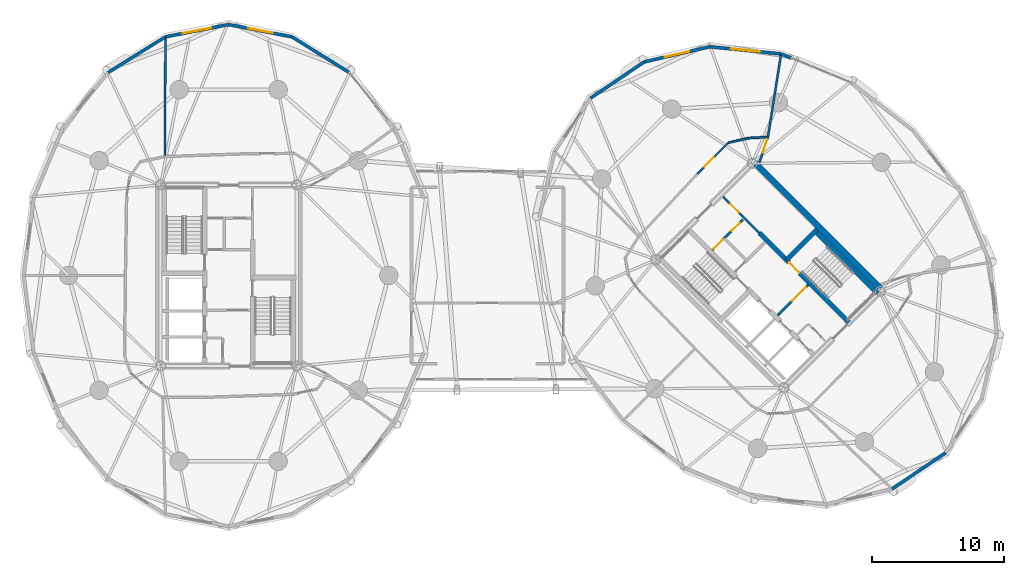
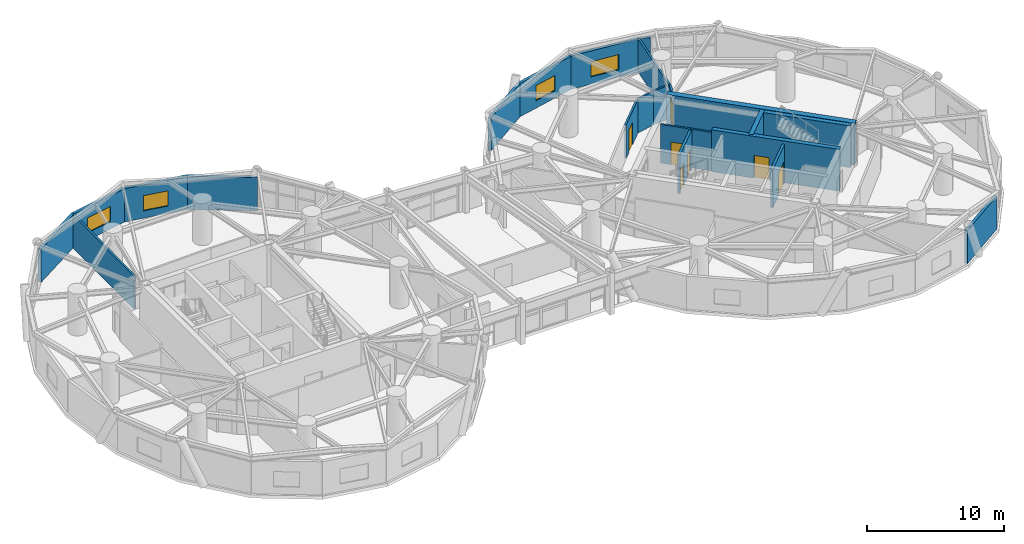
# One storey, part 16 of 19: 22 walls, 7 doors, 4 windows, 11 openings.
"""IFC4 building model written with IfcOpenShell, lengths in metres."""

import ifcopenshell
import ifcopenshell.guid

model = None  # the IFC model being written
_history = None  # IfcOwnerHistory: only IFC2X3 demands one
_inside = {}  # id of a spatial element -> (the spatial element, [elements in it])
_under = {}  # id of a project, library or spatial element -> (it, [spatial elements below it])
_declared = {}  # id of a project -> (the project, [libraries it declares])
_typed = {}  # id of a type object -> (the type object, [elements of that type])
_made_of = {}  # id of a material, layer set ... -> (it, [elements and type objects made of it])


def new_model(schema):
    """Start an empty IFC model of exactly this schema.

    Asked for "IFC4X3", IfcOpenShell would pick the latest addendum, in which some entities
    have other attributes; the version numbers below select the first issue.
    IFC2X3 requires an IfcOwnerHistory on every rooted entity: one is made here for all.
    """
    global model, _history
    if schema == "IFC4X3":
        model = ifcopenshell.file(schema_version=(4, 3, 0, 0))
    else:
        model = ifcopenshell.file(schema=schema)
    _inside.clear()
    _under.clear()
    _declared.clear()
    _typed.clear()
    _made_of.clear()
    _history = None
    if model.schema == "IFC2X3":
        org = make("IfcOrganization", Name="unknown")
        user = make(
            "IfcPersonAndOrganization",
            ThePerson=make("IfcPerson", FamilyName="unknown"),
            TheOrganization=org,
        )
        app = make(
            "IfcApplication",
            ApplicationDeveloper=org,
            Version="unknown",
            ApplicationFullName="unknown",
            ApplicationIdentifier="unknown",
        )
        _history = make(
            "IfcOwnerHistory",
            OwningUser=user,
            OwningApplication=app,
            ChangeAction="ADDED",
            CreationDate=0,
        )
    return model


def make(cls, **values):
    """One entity of the class cls with the attributes given. An attribute that is None is left unset."""
    return model.create_entity(
        cls, **{name: value for name, value in values.items() if value is not None}
    )


def rooted(cls, **values):
    """An entity with a GlobalId (a new one), such as an element, a storey or a relation."""
    return make(cls, GlobalId=ifcopenshell.guid.new(), OwnerHistory=_history, **values)


def si_unit(unit_type, name, prefix=None):
    """IfcSIUnit, for example si_unit("LENGTHUNIT", "METRE", prefix="MILLI")."""
    return make("IfcSIUnit", UnitType=unit_type, Prefix=prefix, Name=name)


def assignment(units):
    """IfcUnitAssignment: the units of a project."""
    return None if units is None else make("IfcUnitAssignment", Units=units)


def point(xyz):
    """IfcCartesianPoint."""
    return None if xyz is None else make("IfcCartesianPoint", Coordinates=xyz)


def direction(xyz):
    """IfcDirection."""
    return None if xyz is None else make("IfcDirection", DirectionRatios=xyz)


def frame(location, z_axis=None, x_axis=None):
    """IfcAxis2Placement3D, a coordinate frame: its origin and axes. An axis left out is left unset."""
    return make(
        "IfcAxis2Placement3D",
        Location=point(location),
        Axis=direction(z_axis),
        RefDirection=direction(x_axis),
    )


def frame_2d(location, x_axis=None):
    """IfcAxis2Placement2D, a coordinate frame in the plane: its origin and x axis."""
    return make(
        "IfcAxis2Placement2D", Location=point(location), RefDirection=direction(x_axis)
    )


def origin():
    """The frame at (0, 0, 0) with its axes left unset."""
    return frame((0.0, 0.0, 0.0))


def place(relative_to, where):
    """IfcLocalPlacement: puts the frame where relative to a parent placement (None: the world)."""
    return make(
        "IfcLocalPlacement", PlacementRelTo=relative_to, RelativePlacement=where
    )


def context(
    kind, dimensions, precision=None, world=None, true_north=None, identifier=None
):
    """IfcGeometricRepresentationContext, for example the 3D "Model" context."""
    return make(
        "IfcGeometricRepresentationContext",
        ContextIdentifier=identifier,
        ContextType=kind,
        CoordinateSpaceDimension=dimensions,
        Precision=precision,
        WorldCoordinateSystem=world,
        TrueNorth=true_north,
    )


def subcontext(parent, identifier, kind, view, scale=None):
    """IfcGeometricRepresentationSubContext, for example "Body" below "Model"."""
    return make(
        "IfcGeometricRepresentationSubContext",
        ContextIdentifier=identifier,
        ContextType=kind,
        ParentContext=parent,
        TargetScale=scale,
        TargetView=view,
    )


def project(units=None, contexts=None):
    """IfcProject with its units and contexts."""
    return rooted(
        "IfcProject",
        Name="project",
        RepresentationContexts=contexts,
        UnitsInContext=assignment(units),
    )


def spatial(cls, under=None, at=None, **own):
    """A site, building, storey or space (cls), placed at a placement, below another one or the project."""
    s = rooted(cls, ObjectPlacement=at, **own)
    if under is not None:
        _under.setdefault(under.id(), (under, []))[1].append(s)
    return s


def profile(cls, at=None, kind="AREA", **sizes):
    """A parametric profile (cls). Its sizes go by their IFC names, for example OverallWidth=200.0."""
    return make(cls, ProfileType=kind, Position=at, **sizes)


def rectangle(**sizes):
    """IfcRectangleProfileDef."""
    return profile("IfcRectangleProfileDef", **sizes)


def extrude(swept, where, along, depth):
    """IfcExtrudedAreaSolid: the profile swept, set in the frame where, extruded along a direction by depth."""
    return make(
        "IfcExtrudedAreaSolid",
        SweptArea=swept,
        Position=where,
        ExtrudedDirection=direction(along),
        Depth=depth,
    )


def shape(context_of_items, identifier, shape_type, items):
    """IfcShapeRepresentation: the items that make up one representation, for example the "Body"."""
    return make(
        "IfcShapeRepresentation",
        ContextOfItems=context_of_items,
        RepresentationIdentifier=identifier,
        RepresentationType=shape_type,
        Items=items,
    )


def source(mapping_origin, context_of_items, identifier, shape_type, items):
    """IfcRepresentationMap: a shape defined once, which mapped items show again and again."""
    return make(
        "IfcRepresentationMap",
        MappingOrigin=mapping_origin,
        MappedRepresentation=shape(context_of_items, identifier, shape_type, items),
    )


def transform(
    local_origin,
    x_axis=None,
    y_axis=None,
    z_axis=None,
    scale=None,
    scale2=None,
    scale3=None,
    uniform=True,
):
    """IfcCartesianTransformationOperator3D, or its non-uniform kind. x_axis, y_axis, z_axis: its Axis1, 2, 3."""
    if uniform:
        return make(
            "IfcCartesianTransformationOperator3D",
            Axis1=direction(x_axis),
            Axis2=direction(y_axis),
            LocalOrigin=point(local_origin),
            Scale=scale,
            Axis3=direction(z_axis),
        )
    return make(
        "IfcCartesianTransformationOperator3DnonUniform",
        Axis1=direction(x_axis),
        Axis2=direction(y_axis),
        LocalOrigin=point(local_origin),
        Scale=scale,
        Axis3=direction(z_axis),
        Scale2=scale2,
        Scale3=scale3,
    )


def mapped(mapping_source, mapping_target):
    """IfcMappedItem: shows the shape of a source again, moved by a transform."""
    return make(
        "IfcMappedItem", MappingSource=mapping_source, MappingTarget=mapping_target
    )


def material(Name=None, Category=None):
    """IfcMaterial."""
    return make("IfcMaterial", Name=Name, Category=Category)


def layer(
    of_material, thickness, ventilated=None, Name=None, Category=None, Priority=None
):
    """IfcMaterialLayer: one layer of a wall or slab, of a material (None: an air gap)."""
    return make(
        "IfcMaterialLayer",
        Material=of_material,
        LayerThickness=thickness,
        IsVentilated=ventilated,
        Name=Name,
        Category=Category,
        Priority=Priority,
    )


def layer_set(layers, Name=None):
    """IfcMaterialLayerSet."""
    return make("IfcMaterialLayerSet", MaterialLayers=layers, LayerSetName=Name)


def made_of(thing, what):
    """Note that an element or type object is made of a material, layer set ...; save() writes the relation."""
    if what is not None:
        _made_of.setdefault(what.id(), (what, []))[1].append(thing)
    return thing


def type_object(cls, material=None, **own):
    """A type object (cls), such as IfcWallType, which elements share."""
    return made_of(rooted(cls, **own), material)


def element(
    cls,
    number,
    at=None,
    inside=None,
    cuts=None,
    type_object=None,
    material=None,
    context=None,
    identifier="Body",
    shape_type=None,
    held_by="IfcProductDefinitionShape",
    body=None,
    shapes=None,
    **own,
):
    """One element of the class cls, such as IfcWall. Its Tag is "e" and its number.

    at: its placement. inside: the storey or other place that contains it. cuts: it is an
    opening in that element (IfcRelVoidsElement). A single representation is given by context,
    identifier, shape_type and body (its items); several are given by shapes. held_by: the class
    of the entity that holds the representations. save() writes the other relations.
    """
    e = rooted(cls, Tag="e%d" % number, ObjectPlacement=at, **own)
    if body is not None:
        shapes = [shape(context, identifier, shape_type, body)]
    if shapes is not None:
        e.Representation = make(held_by, Representations=shapes)
    if inside is not None:
        _inside.setdefault(inside.id(), (inside, []))[1].append(e)
    if cuts is not None:
        rooted(
            "IfcRelVoidsElement", RelatingBuildingElement=cuts, RelatedOpeningElement=e
        )
    if type_object is not None:
        _typed.setdefault(type_object.id(), (type_object, []))[1].append(e)
    return made_of(e, material)


def fill(opening, filler):
    """IfcRelFillsElement: the door or window that sits in an opening."""
    return rooted(
        "IfcRelFillsElement",
        RelatingOpeningElement=opening,
        RelatedBuildingElement=filler,
    )


def aggregate(whole, parts):
    """IfcRelAggregates: a whole, such as a stair, and the parts it consists of."""
    return rooted("IfcRelAggregates", RelatingObject=whole, RelatedObjects=parts)


def save(model, path):
    """Write the relations noted so far, then the file.

    IfcRelAggregates (storeys below a building ...), IfcRelContainedInSpatialStructure (elements
    in a storey), IfcRelDefinesByType, IfcRelAssociatesMaterial and IfcRelDeclares: one each for
    every whole, place, type object, material and project.
    """
    for whole, parts in _under.values():
        aggregate(whole, parts)
    for where, things in _inside.values():
        rooted(
            "IfcRelContainedInSpatialStructure",
            RelatedElements=things,
            RelatingStructure=where,
        )
    for kind, things in _typed.values():
        rooted("IfcRelDefinesByType", RelatedObjects=things, RelatingType=kind)
    for what, things in _made_of.values():
        rooted("IfcRelAssociatesMaterial", RelatedObjects=things, RelatingMaterial=what)
    for by, libraries in _declared.values():
        rooted("IfcRelDeclares", RelatingContext=by, RelatedDefinitions=libraries)
    model.write(path)


model = new_model("IFC4")

# Units and contexts
model_context = context("Model", 3, precision=1e-05, world=origin(), true_north=direction((0.0, 1.0)))
body_context = subcontext(model_context, "Body", "Model", "MODEL_VIEW")
ifc_project = project(units=[si_unit("LENGTHUNIT", "METRE"), si_unit("AREAUNIT", "SQUARE_METRE"), si_unit("VOLUMEUNIT", "CUBIC_METRE"), si_unit("PLANEANGLEUNIT", "RADIAN"), si_unit("MASSUNIT", "GRAM", prefix="KILO")], contexts=[model_context])

# Site, building, storey
site_placement = place(None, origin())
site = spatial("IfcSite", under=ifc_project, at=site_placement, CompositionType="ELEMENT")
building_placement = place(site_placement, origin())
building = spatial("IfcBuilding", under=site, at=building_placement, Name="Cununo Teusaquillo Station Towers", CompositionType="ELEMENT")
storey_placement = place(building_placement, frame((0.0, 0.0, 136.60009765625)))
storey = spatial("IfcBuildingStorey", under=building, at=storey_placement, Name="L43", CompositionType="ELEMENT", Elevation=136.60009765625)

# Wall, opening, door
ifc_material_1 = material(Name="Concrete C50/60", Category="concrete")
ifc_layer_1 = layer(ifc_material_1, 0.35009765625)
ifc_layer_set_1 = layer_set([ifc_layer_1], Name="Concrete C50/60")
wall_type_1 = type_object("IfcWallType", Name="WL-CORE-350", PredefinedType="SHEAR", material=ifc_layer_set_1)
wall_1_placement = place(storey_placement, frame((63.644775390625, 20.922119140625, 0.0), z_axis=(0.0, 0.0, 1.0), x_axis=(-0.70711946392, 0.707094098226, 0.0)))
wall_1 = element("IfcWall", 1, at=wall_1_placement, inside=storey, type_object=wall_type_1, Name="L43 Tower B Core Shear Wall IE", PredefinedType="SHEAR", context=body_context, shape_type="SweptSolid", body=[
    extrude(rectangle(XDim=9.624755859375, YDim=0.35009765625, at=frame_2d((4.8125, 0.0))), origin(), (0.0, 0.0, 1.0), 3.719970703125),
])
shared_shape_1 = source(origin(), body_context, "Body", "SweptSolid", [
    extrude(rectangle(XDim=1.14990234375, YDim=2.02001953125, at=frame_2d((0.574951171875, 1.010009765625))), frame((0.0, 0.18505859375, 0.0), z_axis=(0.0, -1.0, 0.0), x_axis=(1.0, 0.0, 0.0)), (0.0, 0.0, 1.0), 0.3701171875),
])
opening_1_placement = place(wall_1_placement, frame((5.304931640625, 0.0, 0.0)))
opening_1 = element("IfcOpeningElement", 2, at=opening_1_placement, cuts=wall_1, Name="Opening D-ST1", PredefinedType="OPENING", context=body_context, shape_type="MappedRepresentation", body=[
    mapped(shared_shape_1, transform((0.0, 0.0, 0.0), x_axis=(1.0, 0.0, 0.0), y_axis=(0.0, 1.0, 0.0), z_axis=(0.0, 0.0, 1.0), scale=1.0)),
])
ifc_material_2 = material(Name="Galvanised fire-rated hollow steel door assembly", Category="steel")
door_type_1 = type_object("IfcDoorType", Name="DR-STAIR-1150", OperationType="NOTDEFINED", PredefinedType="DOOR", material=ifc_material_2)
shared_shape_2 = source(origin(), body_context, "Body", "SweptSolid", [
    extrude(rectangle(XDim=1.14990234375, YDim=2.02001953125, at=frame_2d((0.574951171875, 1.010009765625))), frame((0.0, 0.02490234375, 0.0), z_axis=(0.0, -1.0, 0.0), x_axis=(1.0, 0.0, 0.0)), (0.0, 0.0, 1.0), 0.050048828125),
])
door_1_placement = place(opening_1_placement, origin())
door_1 = element("IfcDoor", 3, at=door_1_placement, inside=storey, type_object=door_type_1, Name="L43 Tower B Exit Stair 2 Fire Door", OperationType="SINGLE_SWING_RIGHT", OverallHeight=2.02001953125, OverallWidth=1.14990234375, PredefinedType="DOOR", context=body_context, shape_type="MappedRepresentation", body=[
    mapped(shared_shape_2, transform((0.0, 0.0, 0.0), x_axis=(1.0, 0.0, 0.0), y_axis=(0.0, 1.0, 0.0), z_axis=(0.0, 0.0, 1.0), scale=1.0)),
])
fill(opening_1, door_1)

# Walls
wall_2_placement = place(storey_placement, frame((65.82958984375, 23.10693359375, 0.0), z_axis=(0.0, 0.0, 1.0), x_axis=(-0.707088616009, 0.707124945897, 0.0)))
element("IfcWall", 4, at=wall_2_placement, inside=storey, type_object=wall_type_1, Name="L43 Tower B Core Shear Wall ST2E", PredefinedType="SHEAR", context=body_context, shape_type="SweptSolid", body=[
    extrude(rectangle(XDim=6.72021484375, YDim=0.35009765625, at=frame_2d((3.360107421875, 0.0))), origin(), (0.0, 0.0, 1.0), 3.719970703125),
])
wall_3_placement = place(storey_placement, frame((58.89306640625, 25.673828125, 0.0), z_axis=(0.0, 0.0, 1.0), x_axis=(0.707106781187, 0.707106781187, 0.0)))
element("IfcWall", 5, at=wall_3_placement, inside=storey, type_object=wall_type_1, Name="L43 Tower B Core Shear Wall ST2N", PredefinedType="SHEAR", context=body_context, shape_type="SweptSolid", body=[
    extrude(rectangle(XDim=3.284912109375, YDim=0.35009765625, at=frame_2d((1.642578125, 0.0))), origin(), (0.0, 0.0, 1.0), 3.719970703125),
])
ifc_material_3 = material(Name="Concrete C60/75", Category="concrete")
ifc_layer_2 = layer(ifc_material_3, 0.449951171875)
ifc_layer_set_2 = layer_set([ifc_layer_2], Name="Concrete C60/75")
wall_type_2 = type_object("IfcWallType", Name="WL-CORE-450", PredefinedType="SHEAR", material=ifc_layer_set_2)
wall_4_placement = place(storey_placement, frame((66.303466796875, 23.2626953125, 0.0), z_axis=(0.0, 0.0, 1.0), x_axis=(-0.707106781187, 0.707106781187, 0.0)))
element("IfcWall", 6, at=wall_4_placement, inside=storey, type_object=wall_type_2, Name="L43 Tower B Core Shear Wall E", PredefinedType="SHEAR", context=body_context, shape_type="SweptSolid", body=[
    extrude(rectangle(XDim=14.19970703125, YDim=0.449951171875, at=frame_2d((7.099853515625, 0.0))), origin(), (0.0, 0.0, 1.0), 3.719970703125),
])
ifc_material_4 = material(Name="Precast concrete C40/50", Category="concrete")
ifc_layer_3 = layer(ifc_material_4, 0.239990234375)
ifc_layer_set_3 = layer_set([ifc_layer_3], Name="Precast concrete C40/50")
wall_type_3 = type_object("IfcWallType", Name="WL-EXT-240", PredefinedType="SOLIDWALL", material=ifc_layer_set_3)
wall_5_placement = place(storey_placement, frame((21.314697265625, 42.63671875, 0.0), z_axis=(0.0, 0.0, 1.0), x_axis=(0.848520380187, -0.529162701263, 0.0)))
element("IfcWall", 7, at=wall_5_placement, inside=storey, type_object=wall_type_3, Name="L43 Tower A Exterior Facade Wall C03", PredefinedType="SOLIDWALL", context=body_context, shape_type="SweptSolid", body=[
    extrude(rectangle(XDim=5.118896484375, YDim=0.239990234375, at=frame_2d((2.5595703125, 0.0))), origin(), (0.0, 0.0, 1.0), 2.948974609375),
])

# Wall, opening, window
wall_6_placement = place(storey_placement, frame((16.5, 43.570068359375, 0.0), z_axis=(0.0, 0.0, 1.0), x_axis=(0.981723785992, -0.190311344954, 0.0)))
wall_6 = element("IfcWall", 8, at=wall_6_placement, inside=storey, type_object=wall_type_3, Name="L43 Tower A Exterior Facade Wall C04", PredefinedType="SOLIDWALL", context=body_context, shape_type="SweptSolid", body=[
    extrude(rectangle(XDim=4.904296875, YDim=0.239990234375, at=frame_2d((2.4521484375, 0.0))), origin(), (0.0, 0.0, 1.0), 2.948974609375),
])
shared_shape_3 = source(origin(), body_context, "Body", "SweptSolid", [
    extrude(rectangle(XDim=1.89990234375, YDim=1.35009765625, at=frame_2d((0.949951171875, 0.675048828125))), frame((0.0, 0.1298828125, 0.0), z_axis=(0.0, -1.0, 0.0), x_axis=(1.0, 0.0, 0.0)), (0.0, 0.0, 1.0), 0.260009765625),
])
opening_2_placement = place(wall_6_placement, frame((1.501953125, 0.0, 0.64990234375)))
opening_2 = element("IfcOpeningElement", 9, at=opening_2_placement, cuts=wall_6, Name="Opening WN-02", PredefinedType="OPENING", context=body_context, shape_type="MappedRepresentation", body=[
    mapped(shared_shape_3, transform((0.0, 0.0, 0.0), x_axis=(1.0, 0.0, 0.0), y_axis=(0.0, 1.0, 0.0), z_axis=(0.0, 0.0, 1.0), scale=1.0)),
])
ifc_material_5 = material(Name="Operable acoustic tinted low-E double glazing", Category="glass")
window_type_1 = type_object("IfcWindowType", Name="WIN-OPER-1900", PartitioningType="DOUBLE_PANEL_VERTICAL", PredefinedType="WINDOW", material=ifc_material_5)
shared_shape_4 = source(origin(), body_context, "Body", "SweptSolid", [
    extrude(rectangle(XDim=1.89990234375, YDim=1.35009765625, at=frame_2d((0.949951171875, 0.675048828125))), frame((0.0, 0.030029296875, 0.0), z_axis=(0.0, -1.0, 0.0), x_axis=(1.0, 0.0, 0.0)), (0.0, 0.0, 1.0), 0.06005859375),
])
window_1_placement = place(opening_2_placement, origin())
window_1 = element("IfcWindow", 10, at=window_1_placement, inside=storey, type_object=window_type_1, Name="L43 Tower A Facade Window C04", OverallHeight=1.35009765625, OverallWidth=1.89990234375, PartitioningType="DOUBLE_PANEL_VERTICAL", PredefinedType="WINDOW", context=body_context, shape_type="MappedRepresentation", body=[
    mapped(shared_shape_4, transform((0.0, 0.0, 0.0), x_axis=(1.0, 0.0, 0.0), y_axis=(0.0, 1.0, 0.0), z_axis=(0.0, 0.0, 1.0), scale=1.0)),
])
fill(opening_2, window_1)

wall_7_placement = place(storey_placement, frame((11.685302734375, 42.63671875, 0.0), z_axis=(0.0, 0.0, 1.0), x_axis=(0.981723785992, 0.190311344954, 0.0)))
wall_7 = element("IfcWall", 11, at=wall_7_placement, inside=storey, type_object=wall_type_3, Name="L43 Tower A Exterior Facade Wall C05", PredefinedType="SOLIDWALL", context=body_context, shape_type="SweptSolid", body=[
    extrude(rectangle(XDim=4.904296875, YDim=0.239990234375, at=frame_2d((2.4521484375, 0.0))), origin(), (0.0, 0.0, 1.0), 2.948974609375),
])
shared_shape_5 = source(origin(), body_context, "Body", "SweptSolid", [
    extrude(rectangle(XDim=2.199951171875, YDim=1.35009765625, at=frame_2d((1.10009765625, 0.675048828125))), frame((0.0, 0.1298828125, 0.0), z_axis=(0.0, -1.0, 0.0), x_axis=(1.0, 0.0, 0.0)), (0.0, 0.0, 1.0), 0.260009765625),
])
opening_3_placement = place(wall_7_placement, frame((1.35205078125, 0.0, 0.64990234375)))
opening_3 = element("IfcOpeningElement", 12, at=opening_3_placement, cuts=wall_7, Name="Opening WN-01", PredefinedType="OPENING", context=body_context, shape_type="MappedRepresentation", body=[
    mapped(shared_shape_5, transform((0.0, 0.0, 0.0), x_axis=(1.0, 0.0, 0.0), y_axis=(0.0, 1.0, 0.0), z_axis=(0.0, 0.0, 1.0), scale=1.0)),
])
ifc_material_6 = material(Name="Ceramic-fritted dark low-E double glazing", Category="glass")
window_type_2 = type_object("IfcWindowType", Name="WIN-FRIT-2200", PartitioningType="DOUBLE_PANEL_VERTICAL", PredefinedType="WINDOW", material=ifc_material_6)
shared_shape_6 = source(origin(), body_context, "Body", "SweptSolid", [
    extrude(rectangle(XDim=2.199951171875, YDim=1.35009765625, at=frame_2d((1.10009765625, 0.675048828125))), frame((0.0, 0.030029296875, 0.0), z_axis=(0.0, -1.0, 0.0), x_axis=(1.0, 0.0, 0.0)), (0.0, 0.0, 1.0), 0.06005859375),
])
window_2_placement = place(opening_3_placement, origin())
window_2 = element("IfcWindow", 13, at=window_2_placement, inside=storey, type_object=window_type_2, Name="L43 Tower A Facade Window C05", OverallHeight=1.35009765625, OverallWidth=2.199951171875, PartitioningType="DOUBLE_PANEL_VERTICAL", PredefinedType="WINDOW", context=body_context, shape_type="MappedRepresentation", body=[
    mapped(shared_shape_6, transform((0.0, 0.0, 0.0), x_axis=(1.0, 0.0, 0.0), y_axis=(0.0, 1.0, 0.0), z_axis=(0.0, 0.0, 1.0), scale=1.0)),
])
fill(opening_3, window_2)

# Walls
wall_8_placement = place(storey_placement, frame((7.341796875, 39.927978515625, 0.0), z_axis=(0.0, 0.0, 1.0), x_axis=(0.848520380187, 0.529162701263, 0.0)))
element("IfcWall", 14, at=wall_8_placement, inside=storey, type_object=wall_type_3, Name="L43 Tower A Exterior Facade Wall C06", PredefinedType="SOLIDWALL", context=body_context, shape_type="SweptSolid", body=[
    extrude(rectangle(XDim=5.118896484375, YDim=0.239990234375, at=frame_2d((2.5595703125, 0.0))), origin(), (0.0, 0.0, 1.0), 2.948974609375),
])
wall_9_placement = place(storey_placement, frame((58.4873046875, 41.33935546875, 0.0), z_axis=(0.0, 0.0, 1.0), x_axis=(0.924556017656, -0.381046152345, 0.0)))
element("IfcWall", 15, at=wall_9_placement, inside=storey, type_object=wall_type_3, Name="L43 Tower B Column Pier Cladding Wall C01-PA", PredefinedType="SOLIDWALL", context=body_context, shape_type="SweptSolid", body=[
    extrude(rectangle(XDim=0.8701171875, YDim=0.239990234375, at=frame_2d((0.43505859375, 0.0))), origin(), (0.0, 0.0, 1.0), 2.948974609375),
])

# Wall, opening, window
wall_10_placement = place(storey_placement, frame((53.066650390625, 41.885009765625, 0.0), z_axis=(0.0, 0.0, 1.0), x_axis=(0.994971754311, -0.10015591906, 0.0)))
wall_10 = element("IfcWall", 16, at=wall_10_placement, inside=storey, type_object=wall_type_3, Name="L43 Tower B Exterior Facade Wall C02", PredefinedType="SOLIDWALL", context=body_context, shape_type="SweptSolid", body=[
    extrude(rectangle(XDim=5.447998046875, YDim=0.239990234375, at=frame_2d((2.72412109375, 0.0))), origin(), (0.0, 0.0, 1.0), 2.948974609375),
])
opening_4_placement = place(wall_10_placement, frame((1.6240234375, 0.0, 0.64990234375)))
opening_4 = element("IfcOpeningElement", 17, at=opening_4_placement, cuts=wall_10, Name="Opening WN-01", PredefinedType="OPENING", context=body_context, shape_type="MappedRepresentation", body=[
    mapped(shared_shape_5, transform((0.0, 0.0, 0.0), x_axis=(1.0, 0.0, 0.0), y_axis=(0.0, 1.0, 0.0), z_axis=(0.0, 0.0, 1.0), scale=1.0)),
])
window_3_placement = place(opening_4_placement, origin())
window_3 = element("IfcWindow", 18, at=window_3_placement, inside=storey, type_object=window_type_2, Name="L43 Tower B Facade Window C02", OverallHeight=1.35009765625, OverallWidth=2.199951171875, PartitioningType="DOUBLE_PANEL_VERTICAL", PredefinedType="WINDOW", context=body_context, shape_type="MappedRepresentation", body=[
    mapped(shared_shape_6, transform((0.0, 0.0, 0.0), x_axis=(1.0, 0.0, 0.0), y_axis=(0.0, 1.0, 0.0), z_axis=(0.0, 0.0, 1.0), scale=1.0)),
])
fill(opening_4, window_3)

wall_11_placement = place(storey_placement, frame((48.080078125, 40.72900390625, 0.0), z_axis=(0.0, 0.0, 1.0), x_axis=(0.974165631126, 0.225834725257, 0.0)))
wall_11 = element("IfcWall", 19, at=wall_11_placement, inside=storey, type_object=wall_type_3, Name="L43 Tower B Exterior Facade Wall C03", PredefinedType="SOLIDWALL", context=body_context, shape_type="SweptSolid", body=[
    extrude(rectangle(XDim=5.118896484375, YDim=0.239990234375, at=frame_2d((2.5595703125, 0.0))), origin(), (0.0, 0.0, 1.0), 2.948974609375),
])
opening_5_placement = place(wall_11_placement, frame((1.60888671875, 0.0, 0.64990234375)))
opening_5 = element("IfcOpeningElement", 20, at=opening_5_placement, cuts=wall_11, Name="Opening WN-02", PredefinedType="OPENING", context=body_context, shape_type="MappedRepresentation", body=[
    mapped(shared_shape_3, transform((0.0, 0.0, 0.0), x_axis=(1.0, 0.0, 0.0), y_axis=(0.0, 1.0, 0.0), z_axis=(0.0, 0.0, 1.0), scale=1.0)),
])
window_4_placement = place(opening_5_placement, origin())
window_4 = element("IfcWindow", 21, at=window_4_placement, inside=storey, type_object=window_type_1, Name="L43 Tower B Facade Window C03", OverallHeight=1.35009765625, OverallWidth=1.89990234375, PartitioningType="DOUBLE_PANEL_VERTICAL", PredefinedType="WINDOW", context=body_context, shape_type="MappedRepresentation", body=[
    mapped(shared_shape_4, transform((0.0, 0.0, 0.0), x_axis=(1.0, 0.0, 0.0), y_axis=(0.0, 1.0, 0.0), z_axis=(0.0, 0.0, 1.0), scale=1.0)),
])
fill(opening_5, window_4)

# Walls
for number, where, z_axis, x_axis, name in (
    (22, (44.015380859375, 37.984619140625, 0.0), (0.0, 0.0, 1.0), (0.828781148131, 0.559572880421, 0.0), "L43 Tower B Exterior Facade Wall C04"),
    (23, (70.984619140625, 11.015380859375, 0.0), (0.0, 0.0, 1.0), (-0.828781148131, -0.559572880421, 0.0), "L43 Tower B Exterior Facade Wall C14"),
):
    element("IfcWall", number, at=place(storey_placement, frame(where, z_axis=z_axis, x_axis=x_axis)), inside=storey, type_object=wall_type_3, Name=name, PredefinedType="SOLIDWALL", context=body_context, shape_type="SweptSolid", body=[
        extrude(rectangle(XDim=4.904541015625, YDim=0.239990234375, at=frame_2d((2.4521484375, 0.0))), origin(), (0.0, 0.0, 1.0), 2.948974609375),
    ])
ifc_material_7 = material(Name="Fire-rated gypsum plasterboard partition assembly", Category="gypsum")
ifc_layer_4 = layer(ifc_material_7, 0.14990234375)
ifc_layer_set_4 = layer_set([ifc_layer_4], Name="Fire-rated gypsum plasterboard partition assembly")
wall_type_4 = type_object("IfcWallType", Name="WL-PART-150", PredefinedType="PARTITIONING", material=ifc_layer_set_4)
wall_12_placement = place(storey_placement, frame((57.49072265625, 35.021484375, 0.0), z_axis=(0.0, 0.0, 1.0), x_axis=(-0.9985194771, -0.054395347698, 0.0)))
element("IfcWall", 24, at=wall_12_placement, inside=storey, type_object=wall_type_4, Name="L43 Tower B Corridor Ring Wall C02", PredefinedType="PARTITIONING", context=body_context, shape_type="SweptSolid", body=[
    extrude(rectangle(XDim=1.47216796875, YDim=0.14990234375, at=frame_2d((0.736083984375, 0.0))), origin(), (0.0, 0.0, 1.0), 2.994873046875),
])
wall_13_placement = place(storey_placement, frame((56.020751953125, 34.94140625, 0.0), z_axis=(0.0, 0.0, 1.0), x_axis=(-0.975309543901, -0.220842236847, 0.0)))
element("IfcWall", 25, at=wall_13_placement, inside=storey, type_object=wall_type_4, Name="L43 Tower B Corridor Ring Wall C03", PredefinedType="PARTITIONING", context=body_context, shape_type="SweptSolid", body=[
    extrude(rectangle(XDim=1.585205078125, YDim=0.14990234375, at=frame_2d((0.79248046875, 0.0))), origin(), (0.0, 0.0, 1.0), 2.994873046875),
])

# Wall, opening, door
wall_14_placement = place(storey_placement, frame((54.474609375, 34.59130859375, 0.0), z_axis=(0.0, 0.0, 1.0), x_axis=(-0.703869646439, -0.710329163714, 0.0)))
wall_14 = element("IfcWall", 26, at=wall_14_placement, inside=storey, type_object=wall_type_4, Name="L43 Tower B Corridor Ring Wall C04", PredefinedType="PARTITIONING", context=body_context, shape_type="SweptSolid", body=[
    extrude(rectangle(XDim=3.36376953125, YDim=0.14990234375, at=frame_2d((1.681884765625, 0.0))), origin(), (0.0, 0.0, 1.0), 2.994873046875),
])
shared_shape_7 = source(origin(), body_context, "Body", "SweptSolid", [
    extrude(rectangle(XDim=1.050048828125, YDim=2.014892578125, at=frame_2d((0.52490234375, 1.00732421875))), frame((0.0, 0.0849609375, 0.0), z_axis=(0.0, -1.0, 0.0), x_axis=(1.0, 0.0, 0.0)), (0.0, 0.0, 1.0), 0.169921875),
])
opening_6_placement = place(wall_14_placement, frame((1.545654296875, 0.0, 0.0)))
opening_6 = element("IfcOpeningElement", 27, at=opening_6_placement, cuts=wall_14, Name="Opening D-SU1", PredefinedType="OPENING", context=body_context, shape_type="MappedRepresentation", body=[
    mapped(shared_shape_7, transform((0.0, 0.0, 0.0), x_axis=(1.0, 0.0, 0.0), y_axis=(0.0, 1.0, 0.0), z_axis=(0.0, 0.0, 1.0), scale=1.0)),
])
ifc_material_8 = material(Name="Acoustic solid-core hardwood leaf assembly", Category="wood")
door_type_2 = type_object("IfcDoorType", Name="DR-SUITE-1050", OperationType="NOTDEFINED", PredefinedType="DOOR", material=ifc_material_8)
shared_shape_8 = source(origin(), body_context, "Body", "SweptSolid", [
    extrude(rectangle(XDim=1.050048828125, YDim=2.014892578125, at=frame_2d((0.52490234375, 1.00732421875))), frame((0.0, 0.02490234375, 0.0), z_axis=(0.0, -1.0, 0.0), x_axis=(1.0, 0.0, 0.0)), (0.0, 0.0, 1.0), 0.050048828125),
])
door_2_placement = place(opening_6_placement, origin())
door_2 = element("IfcDoor", 28, at=door_2_placement, inside=storey, type_object=door_type_2, Name="L43 Tower B Panoramic Conservatory Dining Hall Entrance Door", OperationType="SINGLE_SWING_RIGHT", OverallHeight=2.014892578125, OverallWidth=1.050048828125, PredefinedType="DOOR", context=body_context, shape_type="MappedRepresentation", body=[
    mapped(shared_shape_8, transform((0.0, 0.0, 0.0), x_axis=(1.0, 0.0, 0.0), y_axis=(0.0, 1.0, 0.0), z_axis=(0.0, 0.0, 1.0), scale=1.0)),
])
fill(opening_6, door_2)

# Wall
ifc_material_9 = material(Name="Fire-rated gypsum plasterboard partition assembly", Category="gypsum")
ifc_layer_5 = layer(ifc_material_9, 0.159912109375)
ifc_layer_set_5 = layer_set([ifc_layer_5], Name="Fire-rated gypsum plasterboard partition assembly")
wall_type_5 = type_object("IfcWallType", Name="WL-PART-160", PredefinedType="PARTITIONING", material=ifc_layer_set_5)
wall_15_placement = place(storey_placement, frame((11.650390625, 33.53857421875, 0.0), z_axis=(0.0, 0.0, 1.0), x_axis=(0.00451754022, 0.999989795863, 0.0)))
element("IfcWall", 29, at=wall_15_placement, inside=storey, type_object=wall_type_5, Name="L43 Tower A Radial Suite Partition R02", PredefinedType="PARTITIONING", context=body_context, shape_type="SweptSolid", body=[
    extrude(rectangle(XDim=9.0791015625, YDim=0.159912109375, at=frame_2d((4.53955078125, 0.0))), origin(), (0.0, 0.0, 1.0), 2.948974609375),
])

# Wall, opening, door
wall_16_placement = place(storey_placement, frame((56.8388671875, 27.727783203125, 0.0), z_axis=(0.0, 0.0, 1.0), x_axis=(-0.707106781187, 0.707106781187, 0.0)))
wall_16 = element("IfcWall", 30, at=wall_16_placement, inside=storey, type_object=wall_type_5, Name="L43 Tower B Reclaimed Core Bay Entry Wall", PredefinedType="PARTITIONING", context=body_context, shape_type="SweptSolid", body=[
    extrude(rectangle(XDim=3.900146484375, YDim=0.159912109375, at=frame_2d((1.9501953125, 0.0))), origin(), (0.0, 0.0, 1.0), 3.4248046875),
])
shared_shape_9 = source(origin(), body_context, "Body", "SweptSolid", [
    extrude(rectangle(XDim=0.89990234375, YDim=2.0048828125, at=frame_2d((0.449951171875, 1.00244140625))), frame((0.0, 0.08984375, 0.0), z_axis=(0.0, -1.0, 0.0), x_axis=(1.0, 0.0, 0.0)), (0.0, 0.0, 1.0), 0.179931640625),
])
opening_7_placement = place(wall_16_placement, frame((2.199951171875, 0.0, 0.0)))
opening_7 = element("IfcOpeningElement", 31, at=opening_7_placement, cuts=wall_16, Name="Opening D-IN1", PredefinedType="OPENING", context=body_context, shape_type="MappedRepresentation", body=[
    mapped(shared_shape_9, transform((0.0, 0.0, 0.0), x_axis=(1.0, 0.0, 0.0), y_axis=(0.0, 1.0, 0.0), z_axis=(0.0, 0.0, 1.0), scale=1.0)),
])
ifc_material_10 = material(Name="Acoustic solid-core hardwood leaf assembly", Category="wood")
door_type_3 = type_object("IfcDoorType", Name="DR-INT-900", OperationType="NOTDEFINED", PredefinedType="DOOR", material=ifc_material_10)
shared_shape_10 = source(origin(), body_context, "Body", "SweptSolid", [
    extrude(rectangle(XDim=0.89990234375, YDim=2.0048828125, at=frame_2d((0.449951171875, 1.00244140625))), frame((0.0, 0.02490234375, 0.0), z_axis=(0.0, -1.0, 0.0), x_axis=(1.0, 0.0, 0.0)), (0.0, 0.0, 1.0), 0.050048828125),
])
door_3_placement = place(opening_7_placement, origin())
door_3 = element("IfcDoor", 32, at=door_3_placement, inside=storey, type_object=door_type_3, Name="L43 Tower B Reclaimed Core Lounge Door", OperationType="SINGLE_SWING_LEFT", OverallHeight=2.0048828125, OverallWidth=0.89990234375, PredefinedType="DOOR", context=body_context, shape_type="MappedRepresentation", body=[
    mapped(shared_shape_10, transform((0.0, 0.0, 0.0), x_axis=(1.0, 0.0, 0.0), y_axis=(0.0, 1.0, 0.0), z_axis=(0.0, 0.0, 1.0), scale=1.0)),
])
fill(opening_7, door_3)

# Wall
wall_17_placement = place(storey_placement, frame((57.49072265625, 35.021484375, 0.0), z_axis=(0.0, 0.0, 1.0), x_axis=(0.155805268746, 0.98778779008, 0.0)))
element("IfcWall", 33, at=wall_17_placement, inside=storey, type_object=wall_type_5, Name="L43 Tower B Radial Suite Partition R01", PredefinedType="PARTITIONING", context=body_context, shape_type="SweptSolid", body=[
    extrude(rectangle(XDim=6.3759765625, YDim=0.159912109375, at=frame_2d((3.18798828125, 0.0))), origin(), (0.0, 0.0, 1.0), 2.948974609375),
])

# Wall, opening, door
wall_18_placement = place(storey_placement, frame((56.828125, 33.055908203125, 0.0), z_axis=(0.0, 0.0, 1.0), x_axis=(0.319439175969, 0.94760678177, 0.0)))
wall_18 = element("IfcWall", 34, at=wall_18_placement, inside=storey, type_object=wall_type_5, Name="L43 Tower B East Salon Corridor Portal Wall NE", PredefinedType="PARTITIONING", context=body_context, shape_type="SweptSolid", body=[
    extrude(rectangle(XDim=2.07421875, YDim=0.159912109375, at=frame_2d((1.037109375, 0.0))), origin(), (0.0, 0.0, 1.0), 2.994873046875),
])
shared_shape_11 = source(origin(), body_context, "Body", "SweptSolid", [
    extrude(rectangle(XDim=1.050048828125, YDim=2.014892578125, at=frame_2d((0.52490234375, 1.00732421875))), frame((0.0, 0.08984375, 0.0), z_axis=(0.0, -1.0, 0.0), x_axis=(1.0, 0.0, 0.0)), (0.0, 0.0, 1.0), 0.179931640625),
])
opening_8_placement = place(wall_18_placement, frame((0.82421875, 0.0, 0.0)))
opening_8 = element("IfcOpeningElement", 35, at=opening_8_placement, cuts=wall_18, Name="Opening D-SU1", PredefinedType="OPENING", context=body_context, shape_type="MappedRepresentation", body=[
    mapped(shared_shape_11, transform((0.0, 0.0, 0.0), x_axis=(1.0, 0.0, 0.0), y_axis=(0.0, 1.0, 0.0), z_axis=(0.0, 0.0, 1.0), scale=1.0)),
])
door_4_placement = place(opening_8_placement, origin())
door_4 = element("IfcDoor", 36, at=door_4_placement, inside=storey, type_object=door_type_2, Name="L43 Tower B East Panorama Sky Salon Door NE", OperationType="SINGLE_SWING_RIGHT", OverallHeight=2.014892578125, OverallWidth=1.050048828125, PredefinedType="DOOR", context=body_context, shape_type="MappedRepresentation", body=[
    mapped(shared_shape_8, transform((0.0, 0.0, 0.0), x_axis=(1.0, 0.0, 0.0), y_axis=(0.0, 1.0, 0.0), z_axis=(0.0, 0.0, 1.0), scale=1.0)),
])
fill(opening_8, door_4)

ifc_material_11 = material(Name="Fire-rated gypsum plasterboard partition assembly", Category="gypsum")
ifc_layer_6 = layer(ifc_material_11, 0.199951171875)
ifc_layer_set_6 = layer_set([ifc_layer_6], Name="Fire-rated gypsum plasterboard partition assembly")
wall_type_6 = type_object("IfcWallType", Name="WL-PART-200", PredefinedType="PARTITIONING", material=ifc_layer_set_6)
wall_19_placement = place(storey_placement, frame((58.214111328125, 21.466552734375, 0.0), z_axis=(0.0, 0.0, 1.0), x_axis=(0.707106781187, 0.707106781187, 0.0)))
wall_19 = element("IfcWall", 37, at=wall_19_placement, inside=storey, type_object=wall_type_6, Name="L43 Tower B Firefighting Lift Lobby South Fire Wall", PredefinedType="PARTITIONING", context=body_context, shape_type="SweptSolid", body=[
    extrude(rectangle(XDim=3.280029296875, YDim=0.199951171875, at=frame_2d((1.64013671875, 0.0))), origin(), (0.0, 0.0, 1.0), 3.4248046875),
])
shared_shape_12 = source(origin(), body_context, "Body", "SweptSolid", [
    extrude(rectangle(XDim=1.5, YDim=2.02001953125, at=frame_2d((0.75, 1.010009765625))), frame((0.0, 0.10986328125, 0.0), z_axis=(0.0, -1.0, 0.0), x_axis=(1.0, 0.0, 0.0)), (0.0, 0.0, 1.0), 0.219970703125),
])
opening_9_placement = place(wall_19_placement, frame((1.550048828125, 0.0, 0.0)))
opening_9 = element("IfcOpeningElement", 38, at=opening_9_placement, cuts=wall_19, Name="Opening D-LB1", PredefinedType="OPENING", context=body_context, shape_type="MappedRepresentation", body=[
    mapped(shared_shape_12, transform((0.0, 0.0, 0.0), x_axis=(1.0, 0.0, 0.0), y_axis=(0.0, 1.0, 0.0), z_axis=(0.0, 0.0, 1.0), scale=1.0)),
])
ifc_material_12 = material(Name="Galvanised fire-rated hollow steel door assembly", Category="steel")
door_type_4 = type_object("IfcDoorType", Name="DR-LOBBY-1500", OperationType="DOUBLE_DOOR_SINGLE_SWING", PredefinedType="DOOR", material=ifc_material_12)
shared_shape_13 = source(origin(), body_context, "Body", "SweptSolid", [
    extrude(rectangle(XDim=1.5, YDim=2.02001953125, at=frame_2d((0.75, 1.010009765625))), frame((0.0, 0.02490234375, 0.0), z_axis=(0.0, -1.0, 0.0), x_axis=(1.0, 0.0, 0.0)), (0.0, 0.0, 1.0), 0.050048828125),
])
door_5_placement = place(opening_9_placement, origin())
door_5 = element("IfcDoor", 39, at=door_5_placement, inside=storey, type_object=door_type_4, Name="L43 Tower B Firefighting Lift Lobby South Fire Door", OperationType="DOUBLE_DOOR_SINGLE_SWING", OverallHeight=2.02001953125, OverallWidth=1.5, PredefinedType="DOOR", context=body_context, shape_type="MappedRepresentation", body=[
    mapped(shared_shape_13, transform((0.0, 0.0, 0.0), x_axis=(1.0, 0.0, 0.0), y_axis=(0.0, 1.0, 0.0), z_axis=(0.0, 0.0, 1.0), scale=1.0)),
])
fill(opening_9, door_5)

# Wall, openings, doors
wall_20_placement = place(storey_placement, frame((53.264404296875, 26.416259765625, 0.0), z_axis=(0.0, 0.0, 1.0), x_axis=(0.707106781187, 0.707106781187, 0.0)))
wall_20 = element("IfcWall", 40, at=wall_20_placement, inside=storey, type_object=wall_type_6, Name="L43 Tower B North Lift Lobby South Fire Wall", PredefinedType="PARTITIONING", context=body_context, shape_type="SweptSolid", body=[
    extrude(rectangle(XDim=3.280029296875, YDim=0.199951171875, at=frame_2d((1.64013671875, 0.0))), origin(), (0.0, 0.0, 1.0), 3.4248046875),
])
shared_shape_14 = source(origin(), body_context, "Body", "SweptSolid", [
    extrude(rectangle(XDim=1.0, YDim=2.014892578125, at=frame_2d((0.5, 1.00732421875))), frame((0.0, 0.10986328125, 0.0), z_axis=(0.0, -1.0, 0.0), x_axis=(1.0, 0.0, 0.0)), (0.0, 0.0, 1.0), 0.219970703125),
])
opening_10_placement = place(wall_20_placement, frame((0.139892578125, 0.0, 0.0)))
opening_10 = element("IfcOpeningElement", 41, at=opening_10_placement, cuts=wall_20, Name="Opening D-AC1", PredefinedType="OPENING", context=body_context, shape_type="MappedRepresentation", body=[
    mapped(shared_shape_14, transform((0.0, 0.0, 0.0), x_axis=(1.0, 0.0, 0.0), y_axis=(0.0, 1.0, 0.0), z_axis=(0.0, 0.0, 1.0), scale=1.0)),
])
shared_shape_15 = source(origin(), body_context, "Body", "SweptSolid", [
    extrude(rectangle(XDim=0.89990234375, YDim=2.0048828125, at=frame_2d((0.449951171875, 1.00244140625))), frame((0.0, 0.10986328125, 0.0), z_axis=(0.0, -1.0, 0.0), x_axis=(1.0, 0.0, 0.0)), (0.0, 0.0, 1.0), 0.219970703125),
])
opening_11_placement = place(wall_20_placement, frame((2.050048828125, 0.0, 0.0)))
opening_11 = element("IfcOpeningElement", 42, at=opening_11_placement, cuts=wall_20, Name="Opening D-SR1", PredefinedType="OPENING", context=body_context, shape_type="MappedRepresentation", body=[
    mapped(shared_shape_15, transform((0.0, 0.0, 0.0), x_axis=(1.0, 0.0, 0.0), y_axis=(0.0, 1.0, 0.0), z_axis=(0.0, 0.0, 1.0), scale=1.0)),
])
ifc_material_13 = material(Name="Galvanised fire-rated hollow steel door assembly", Category="steel")
door_type_5 = type_object("IfcDoorType", Name="DR-STORE-900", OperationType="NOTDEFINED", PredefinedType="DOOR", material=ifc_material_13)
door_6_placement = place(opening_11_placement, origin())
door_6 = element("IfcDoor", 43, at=door_6_placement, inside=storey, type_object=door_type_5, Name="L43 Tower B Core Housekeeping & Linen Store Door", OperationType="SINGLE_SWING_RIGHT", OverallHeight=2.0048828125, OverallWidth=0.89990234375, PredefinedType="DOOR", context=body_context, shape_type="MappedRepresentation", body=[
    mapped(shared_shape_10, transform((0.0, 0.0, 0.0), x_axis=(1.0, 0.0, 0.0), y_axis=(0.0, 1.0, 0.0), z_axis=(0.0, 0.0, 1.0), scale=1.0)),
])
fill(opening_11, door_6)
ifc_material_14 = material(Name="Acoustic solid-core hardwood leaf assembly", Category="wood")
door_type_6 = type_object("IfcDoorType", Name="DR-ACC-1000", OperationType="NOTDEFINED", PredefinedType="DOOR", material=ifc_material_14)
shared_shape_16 = source(origin(), body_context, "Body", "SweptSolid", [
    extrude(rectangle(XDim=1.0, YDim=2.014892578125, at=frame_2d((0.5, 1.00732421875))), frame((0.0, 0.02490234375, 0.0), z_axis=(0.0, -1.0, 0.0), x_axis=(1.0, 0.0, 0.0)), (0.0, 0.0, 1.0), 0.050048828125),
])
door_7_placement = place(opening_10_placement, origin())
door_7 = element("IfcDoor", 44, at=door_7_placement, inside=storey, type_object=door_type_6, Name="L43 Tower B North Lift Lobby to Stair 1 Vestibule Door", OperationType="SINGLE_SWING_RIGHT", OverallHeight=2.014892578125, OverallWidth=1.0, PredefinedType="DOOR", context=body_context, shape_type="MappedRepresentation", body=[
    mapped(shared_shape_16, transform((0.0, 0.0, 0.0), x_axis=(1.0, 0.0, 0.0), y_axis=(0.0, 1.0, 0.0), z_axis=(0.0, 0.0, 1.0), scale=1.0)),
])
fill(opening_10, door_7)

save(model, "model.ifc")
